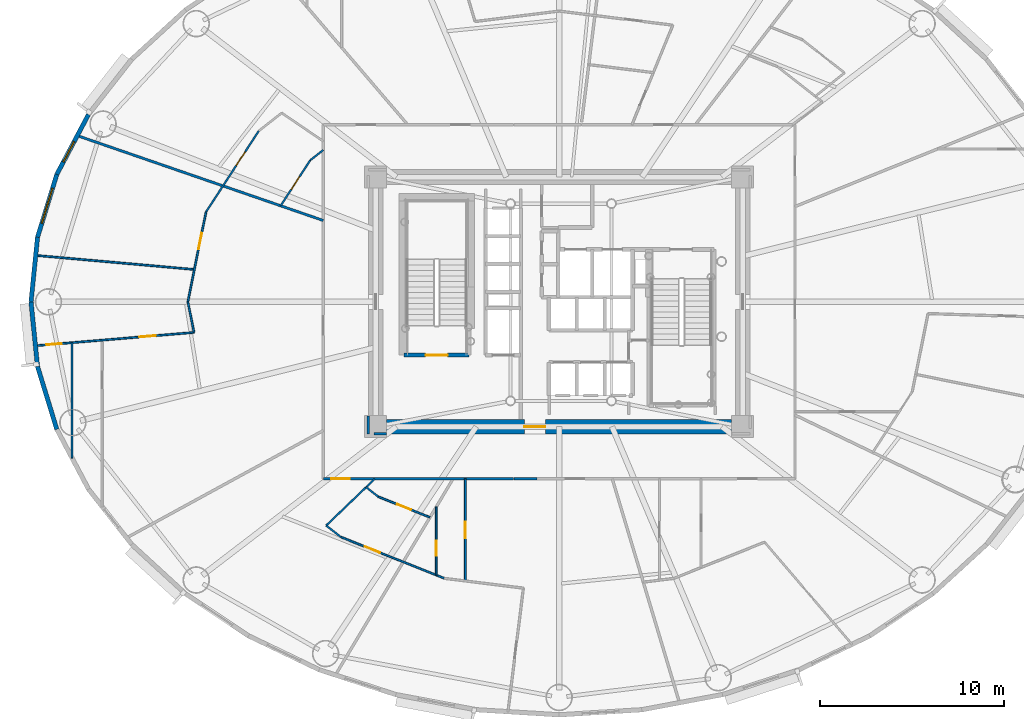
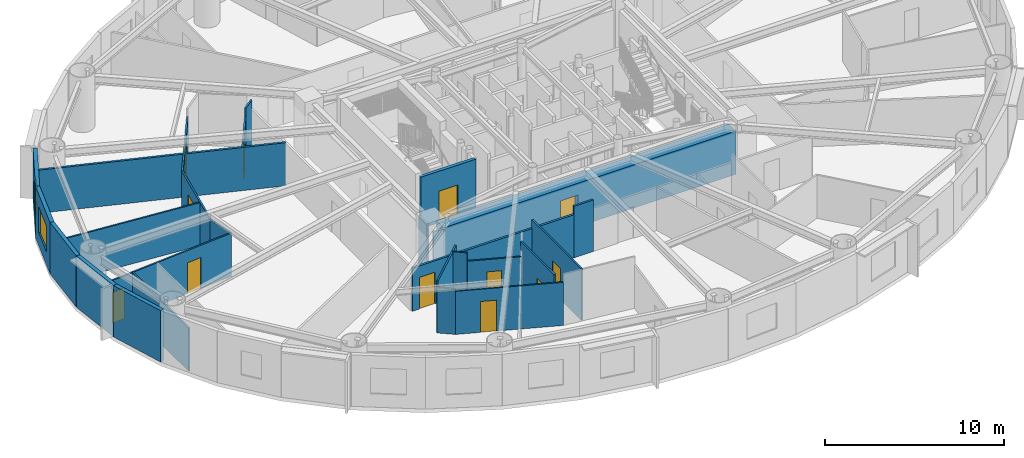
# One storey, part 7 of 18: 27 walls, 12 doors, 2 windows, 14 openings.
"""IFC4 building model written with IfcOpenShell, lengths in metres."""

import ifcopenshell
import ifcopenshell.guid

model = None  # the IFC model being written
_history = None  # IfcOwnerHistory: only IFC2X3 demands one
_inside = {}  # id of a spatial element -> (the spatial element, [elements in it])
_under = {}  # id of a project, library or spatial element -> (it, [spatial elements below it])
_declared = {}  # id of a project -> (the project, [libraries it declares])
_typed = {}  # id of a type object -> (the type object, [elements of that type])
_made_of = {}  # id of a material, layer set ... -> (it, [elements and type objects made of it])


def new_model(schema):
    """Start an empty IFC model of exactly this schema.

    Asked for "IFC4X3", IfcOpenShell would pick the latest addendum, in which some entities
    have other attributes; the version numbers below select the first issue.
    IFC2X3 requires an IfcOwnerHistory on every rooted entity: one is made here for all.
    """
    global model, _history
    if schema == "IFC4X3":
        model = ifcopenshell.file(schema_version=(4, 3, 0, 0))
    else:
        model = ifcopenshell.file(schema=schema)
    _inside.clear()
    _under.clear()
    _declared.clear()
    _typed.clear()
    _made_of.clear()
    _history = None
    if model.schema == "IFC2X3":
        org = make("IfcOrganization", Name="unknown")
        user = make(
            "IfcPersonAndOrganization",
            ThePerson=make("IfcPerson", FamilyName="unknown"),
            TheOrganization=org,
        )
        app = make(
            "IfcApplication",
            ApplicationDeveloper=org,
            Version="unknown",
            ApplicationFullName="unknown",
            ApplicationIdentifier="unknown",
        )
        _history = make(
            "IfcOwnerHistory",
            OwningUser=user,
            OwningApplication=app,
            ChangeAction="ADDED",
            CreationDate=0,
        )
    return model


def make(cls, **values):
    """One entity of the class cls with the attributes given. An attribute that is None is left unset."""
    return model.create_entity(
        cls, **{name: value for name, value in values.items() if value is not None}
    )


def rooted(cls, **values):
    """An entity with a GlobalId (a new one), such as an element, a storey or a relation."""
    return make(cls, GlobalId=ifcopenshell.guid.new(), OwnerHistory=_history, **values)


def si_unit(unit_type, name, prefix=None):
    """IfcSIUnit, for example si_unit("LENGTHUNIT", "METRE", prefix="MILLI")."""
    return make("IfcSIUnit", UnitType=unit_type, Prefix=prefix, Name=name)


def assignment(units):
    """IfcUnitAssignment: the units of a project."""
    return None if units is None else make("IfcUnitAssignment", Units=units)


def point(xyz):
    """IfcCartesianPoint."""
    return None if xyz is None else make("IfcCartesianPoint", Coordinates=xyz)


def direction(xyz):
    """IfcDirection."""
    return None if xyz is None else make("IfcDirection", DirectionRatios=xyz)


def frame(location, z_axis=None, x_axis=None):
    """IfcAxis2Placement3D, a coordinate frame: its origin and axes. An axis left out is left unset."""
    return make(
        "IfcAxis2Placement3D",
        Location=point(location),
        Axis=direction(z_axis),
        RefDirection=direction(x_axis),
    )


def frame_2d(location, x_axis=None):
    """IfcAxis2Placement2D, a coordinate frame in the plane: its origin and x axis."""
    return make(
        "IfcAxis2Placement2D", Location=point(location), RefDirection=direction(x_axis)
    )


def origin():
    """The frame at (0, 0, 0) with its axes left unset."""
    return frame((0.0, 0.0, 0.0))


def origin_2d():
    """The frame at (0, 0) in the plane with its x axis left unset."""
    return frame_2d((0.0, 0.0))


def place(relative_to, where):
    """IfcLocalPlacement: puts the frame where relative to a parent placement (None: the world)."""
    return make(
        "IfcLocalPlacement", PlacementRelTo=relative_to, RelativePlacement=where
    )


def context(
    kind, dimensions, precision=None, world=None, true_north=None, identifier=None
):
    """IfcGeometricRepresentationContext, for example the 3D "Model" context."""
    return make(
        "IfcGeometricRepresentationContext",
        ContextIdentifier=identifier,
        ContextType=kind,
        CoordinateSpaceDimension=dimensions,
        Precision=precision,
        WorldCoordinateSystem=world,
        TrueNorth=true_north,
    )


def subcontext(parent, identifier, kind, view, scale=None):
    """IfcGeometricRepresentationSubContext, for example "Body" below "Model"."""
    return make(
        "IfcGeometricRepresentationSubContext",
        ContextIdentifier=identifier,
        ContextType=kind,
        ParentContext=parent,
        TargetScale=scale,
        TargetView=view,
    )


def project(units=None, contexts=None):
    """IfcProject with its units and contexts."""
    return rooted(
        "IfcProject",
        Name="project",
        RepresentationContexts=contexts,
        UnitsInContext=assignment(units),
    )


def spatial(cls, under=None, at=None, **own):
    """A site, building, storey or space (cls), placed at a placement, below another one or the project."""
    s = rooted(cls, ObjectPlacement=at, **own)
    if under is not None:
        _under.setdefault(under.id(), (under, []))[1].append(s)
    return s


def profile(cls, at=None, kind="AREA", **sizes):
    """A parametric profile (cls). Its sizes go by their IFC names, for example OverallWidth=200.0."""
    return make(cls, ProfileType=kind, Position=at, **sizes)


def rectangle(**sizes):
    """IfcRectangleProfileDef."""
    return profile("IfcRectangleProfileDef", **sizes)


def extrude(swept, where, along, depth):
    """IfcExtrudedAreaSolid: the profile swept, set in the frame where, extruded along a direction by depth."""
    return make(
        "IfcExtrudedAreaSolid",
        SweptArea=swept,
        Position=where,
        ExtrudedDirection=direction(along),
        Depth=depth,
    )


def shape(context_of_items, identifier, shape_type, items):
    """IfcShapeRepresentation: the items that make up one representation, for example the "Body"."""
    return make(
        "IfcShapeRepresentation",
        ContextOfItems=context_of_items,
        RepresentationIdentifier=identifier,
        RepresentationType=shape_type,
        Items=items,
    )


def source(mapping_origin, context_of_items, identifier, shape_type, items):
    """IfcRepresentationMap: a shape defined once, which mapped items show again and again."""
    return make(
        "IfcRepresentationMap",
        MappingOrigin=mapping_origin,
        MappedRepresentation=shape(context_of_items, identifier, shape_type, items),
    )


def transform(
    local_origin,
    x_axis=None,
    y_axis=None,
    z_axis=None,
    scale=None,
    scale2=None,
    scale3=None,
    uniform=True,
):
    """IfcCartesianTransformationOperator3D, or its non-uniform kind. x_axis, y_axis, z_axis: its Axis1, 2, 3."""
    if uniform:
        return make(
            "IfcCartesianTransformationOperator3D",
            Axis1=direction(x_axis),
            Axis2=direction(y_axis),
            LocalOrigin=point(local_origin),
            Scale=scale,
            Axis3=direction(z_axis),
        )
    return make(
        "IfcCartesianTransformationOperator3DnonUniform",
        Axis1=direction(x_axis),
        Axis2=direction(y_axis),
        LocalOrigin=point(local_origin),
        Scale=scale,
        Axis3=direction(z_axis),
        Scale2=scale2,
        Scale3=scale3,
    )


def mapped(mapping_source, mapping_target):
    """IfcMappedItem: shows the shape of a source again, moved by a transform."""
    return make(
        "IfcMappedItem", MappingSource=mapping_source, MappingTarget=mapping_target
    )


def material(Name=None, Category=None):
    """IfcMaterial."""
    return make("IfcMaterial", Name=Name, Category=Category)


def layer(
    of_material, thickness, ventilated=None, Name=None, Category=None, Priority=None
):
    """IfcMaterialLayer: one layer of a wall or slab, of a material (None: an air gap)."""
    return make(
        "IfcMaterialLayer",
        Material=of_material,
        LayerThickness=thickness,
        IsVentilated=ventilated,
        Name=Name,
        Category=Category,
        Priority=Priority,
    )


def layer_set(layers, Name=None):
    """IfcMaterialLayerSet."""
    return make("IfcMaterialLayerSet", MaterialLayers=layers, LayerSetName=Name)


def made_of(thing, what):
    """Note that an element or type object is made of a material, layer set ...; save() writes the relation."""
    if what is not None:
        _made_of.setdefault(what.id(), (what, []))[1].append(thing)
    return thing


def type_object(cls, material=None, **own):
    """A type object (cls), such as IfcWallType, which elements share."""
    return made_of(rooted(cls, **own), material)


def element(
    cls,
    number,
    at=None,
    inside=None,
    cuts=None,
    type_object=None,
    material=None,
    context=None,
    identifier="Body",
    shape_type=None,
    held_by="IfcProductDefinitionShape",
    body=None,
    shapes=None,
    **own,
):
    """One element of the class cls, such as IfcWall. Its Tag is "e" and its number.

    at: its placement. inside: the storey or other place that contains it. cuts: it is an
    opening in that element (IfcRelVoidsElement). A single representation is given by context,
    identifier, shape_type and body (its items); several are given by shapes. held_by: the class
    of the entity that holds the representations. save() writes the other relations.
    """
    e = rooted(cls, Tag="e%d" % number, ObjectPlacement=at, **own)
    if body is not None:
        shapes = [shape(context, identifier, shape_type, body)]
    if shapes is not None:
        e.Representation = make(held_by, Representations=shapes)
    if inside is not None:
        _inside.setdefault(inside.id(), (inside, []))[1].append(e)
    if cuts is not None:
        rooted(
            "IfcRelVoidsElement", RelatingBuildingElement=cuts, RelatedOpeningElement=e
        )
    if type_object is not None:
        _typed.setdefault(type_object.id(), (type_object, []))[1].append(e)
    return made_of(e, material)


def fill(opening, filler):
    """IfcRelFillsElement: the door or window that sits in an opening."""
    return rooted(
        "IfcRelFillsElement",
        RelatingOpeningElement=opening,
        RelatedBuildingElement=filler,
    )


def aggregate(whole, parts):
    """IfcRelAggregates: a whole, such as a stair, and the parts it consists of."""
    return rooted("IfcRelAggregates", RelatingObject=whole, RelatedObjects=parts)


def save(model, path):
    """Write the relations noted so far, then the file.

    IfcRelAggregates (storeys below a building ...), IfcRelContainedInSpatialStructure (elements
    in a storey), IfcRelDefinesByType, IfcRelAssociatesMaterial and IfcRelDeclares: one each for
    every whole, place, type object, material and project.
    """
    for whole, parts in _under.values():
        aggregate(whole, parts)
    for where, things in _inside.values():
        rooted(
            "IfcRelContainedInSpatialStructure",
            RelatedElements=things,
            RelatingStructure=where,
        )
    for kind, things in _typed.values():
        rooted("IfcRelDefinesByType", RelatedObjects=things, RelatingType=kind)
    for what, things in _made_of.values():
        rooted("IfcRelAssociatesMaterial", RelatedObjects=things, RelatingMaterial=what)
    for by, libraries in _declared.values():
        rooted("IfcRelDeclares", RelatingContext=by, RelatedDefinitions=libraries)
    model.write(path)


model = new_model("IFC4")

# Units and contexts
model_context = context("Model", 3, precision=1e-05, world=origin(), true_north=direction((0.0, 1.0)))
body_context = subcontext(model_context, "Body", "Model", "MODEL_VIEW")
ifc_project = project(units=[si_unit("LENGTHUNIT", "METRE"), si_unit("AREAUNIT", "SQUARE_METRE"), si_unit("VOLUMEUNIT", "CUBIC_METRE"), si_unit("PLANEANGLEUNIT", "RADIAN"), si_unit("MASSUNIT", "GRAM", prefix="KILO")], contexts=[model_context])

# Site, building, storey
site_placement = place(None, origin())
site = spatial("IfcSite", under=ifc_project, at=site_placement, CompositionType="ELEMENT")
building_placement = place(site_placement, origin())
building = spatial("IfcBuilding", under=site, at=building_placement, Name="Linh Dai School and Residence Tower", CompositionType="ELEMENT")
storey_placement = place(building_placement, frame((0.0, 0.0, 104.699951171875)))
storey = spatial("IfcBuildingStorey", under=building, at=storey_placement, Name="L24", CompositionType="ELEMENT", Elevation=104.699951171875)

# Wall, opening, window
ifc_material_1 = material(Name="Precast Concrete B45 (C35/45)", Category="concrete")
ifc_layer_1 = layer(ifc_material_1, 0.239990234375)
ifc_layer_set_1 = layer_set([ifc_layer_1], Name="Precast Concrete B45 (C35/45)")
wall_type_1 = type_object("IfcWallType", Name="EW-TC-240", PredefinedType="SOLIDWALL", material=ifc_layer_set_1)
wall_1_placement = place(storey_placement, frame((8.6298828125, 33.945068359375, 0.0), z_axis=(0.0, 0.0, 1.0), x_axis=(0.467614004126, 0.883932770716, 0.0)))
wall_1 = element("IfcWall", 1, at=wall_1_placement, inside=storey, type_object=wall_type_1, Name="L24 Terracotta Exterior Wall 18", PredefinedType="SOLIDWALL", context=body_context, shape_type="SweptSolid", body=[
    extrude(rectangle(XDim=3.688720703125, YDim=0.239990234375, at=frame_2d((1.84423828125, 0.0))), origin(), (0.0, 0.0, 1.0), 3.5),
])
opening_1_placement = place(wall_1_placement, frame((0.77392578125, 0.0, 0.89990234375)))
opening_1 = element("IfcOpeningElement", 2, at=opening_1_placement, cuts=wall_1, Name="Opening W3", PredefinedType="OPENING", context=body_context, shape_type="SweptSolid", body=[
    extrude(rectangle(XDim=1.25, YDim=1.64990234375, at=origin_2d()), frame((0.625, 0.1298828125, 0.824951171875), z_axis=(0.0, -1.0, 0.0), x_axis=(1.0, 0.0, 0.0)), (0.0, 0.0, 1.0), 0.260009765625),
])
ifc_material_2 = material(Name="Double Low-E Insulated Glazing", Category="glass")
window_type_1 = type_object("IfcWindowType", Name="WN-RES-1250x1650", PartitioningType="SINGLE_PANEL", PredefinedType="WINDOW", material=ifc_material_2)
shared_shape_1 = source(origin(), body_context, "Body", "SweptSolid", [
    extrude(rectangle(XDim=1.25, YDim=1.64990234375, at=origin_2d()), frame((0.625, 0.030029296875, 0.824951171875), z_axis=(0.0, -1.0, 0.0), x_axis=(1.0, 0.0, 0.0)), (0.0, 0.0, 1.0), 0.06005859375),
])
window_1_placement = place(opening_1_placement, origin())
window_1 = element("IfcWindow", 3, at=window_1_placement, inside=storey, type_object=window_type_1, Name="L24 Exterior Window 18.1", OverallHeight=1.64990234375, OverallWidth=1.25, PartitioningType="SINGLE_PANEL", PredefinedType="WINDOW", context=body_context, shape_type="MappedRepresentation", body=[
    mapped(shared_shape_1, transform((0.0, 0.0, 0.0), x_axis=(1.0, 0.0, 0.0), y_axis=(0.0, 1.0, 0.0), z_axis=(0.0, 0.0, 1.0), scale=1.0)),
])
fill(opening_1, window_1)

wall_2_placement = place(storey_placement, frame((7.578369140625, 30.515380859375, 0.0), z_axis=(0.0, 0.0, 1.0), x_axis=(0.293124431344, 0.956074300329, 0.0)))
wall_2 = element("IfcWall", 4, at=wall_2_placement, inside=storey, type_object=wall_type_1, Name="L24 Terracotta Exterior Wall 19", PredefinedType="SOLIDWALL", context=body_context, shape_type="SweptSolid", body=[
    extrude(rectangle(XDim=3.587158203125, YDim=0.239990234375, at=frame_2d((1.79345703125, 0.0))), origin(), (0.0, 0.0, 1.0), 3.5),
])
opening_2_placement = place(wall_2_placement, frame((0.793701171875, 0.0, 0.89990234375)))
opening_2 = element("IfcOpeningElement", 5, at=opening_2_placement, cuts=wall_2, Name="Opening W1", PredefinedType="OPENING", context=body_context, shape_type="SweptSolid", body=[
    extrude(rectangle(XDim=2.0, YDim=1.75, at=origin_2d()), frame((1.0, 0.1298828125, 0.875), z_axis=(0.0, -1.0, 0.0), x_axis=(1.0, 0.0, 0.0)), (0.0, 0.0, 1.0), 0.260009765625),
])
window_type_2 = type_object("IfcWindowType", Name="WN-RES-2000x1750", PartitioningType="DOUBLE_PANEL_VERTICAL", PredefinedType="WINDOW", material=ifc_material_2)
shared_shape_2 = source(origin(), body_context, "Body", "SweptSolid", [
    extrude(rectangle(XDim=2.0, YDim=1.75, at=origin_2d()), frame((1.0, 0.030029296875, 0.875), z_axis=(0.0, -1.0, 0.0), x_axis=(1.0, 0.0, 0.0)), (0.0, 0.0, 1.0), 0.06005859375),
])
window_2_placement = place(opening_2_placement, origin())
window_2 = element("IfcWindow", 6, at=window_2_placement, inside=storey, type_object=window_type_2, Name="L24 Exterior Window 19.1", OverallHeight=1.75, OverallWidth=2.0, PartitioningType="DOUBLE_PANEL_VERTICAL", PredefinedType="WINDOW", context=body_context, shape_type="MappedRepresentation", body=[
    mapped(shared_shape_2, transform((0.0, 0.0, 0.0), x_axis=(1.0, 0.0, 0.0), y_axis=(0.0, 1.0, 0.0), z_axis=(0.0, 0.0, 1.0), scale=1.0)),
])
fill(opening_2, window_2)

# Walls
for number, where, z_axis, x_axis, name in (
    (7, (7.22509765625, 27.0, 0.0), (0.0, 0.0, 1.0), (0.099989468229, 0.994988495533, 0.0), "L24 Terracotta Exterior Wall 20"),
    (8, (7.578369140625, 23.484619140625, 0.0), (0.0, 0.0, 1.0), (-0.099989468229, 0.994988495533, 0.0), "L24 Terracotta Exterior Wall 21"),
):
    element("IfcWall", number, at=place(storey_placement, frame(where, z_axis=z_axis, x_axis=x_axis)), inside=storey, type_object=wall_type_1, Name=name, PredefinedType="SOLIDWALL", context=body_context, shape_type="SweptSolid", body=[
        extrude(rectangle(XDim=3.533203125, YDim=0.239990234375, at=frame_2d((1.7666015625, 0.0))), origin(), (0.0, 0.0, 1.0), 3.5),
    ])
wall_3_placement = place(storey_placement, frame((8.6298828125, 20.054931640625, 0.0), z_axis=(0.0, 0.0, 1.0), x_axis=(-0.293124431344, 0.956074300329, 0.0)))
element("IfcWall", 9, at=wall_3_placement, inside=storey, type_object=wall_type_1, Name="L24 Terracotta Exterior Wall 22", PredefinedType="SOLIDWALL", context=body_context, shape_type="SweptSolid", body=[
    extrude(rectangle(XDim=3.587158203125, YDim=0.239990234375, at=frame_2d((1.79345703125, 0.0))), origin(), (0.0, 0.0, 1.0), 3.5),
])
ifc_material_3 = material(Name="Autoclaved Aerated Concrete Blockwork", Category="masonry")
ifc_layer_2 = layer(ifc_material_3, 0.135009765625)
ifc_layer_set_2 = layer_set([ifc_layer_2], Name="Autoclaved Aerated Concrete Blockwork")
wall_type_2 = type_object("IfcWallType", Name="IW-CORR-135-EI90", PredefinedType="PARTITIONING", material=ifc_layer_set_2)
wall_4_placement = place(storey_placement, frame((9.7412109375, 36.056640625, 0.0), z_axis=(0.0, 0.0, 1.0), x_axis=(0.945349748634, -0.326058051207, 0.0)))
element("IfcWall", 10, at=wall_4_placement, inside=storey, type_object=wall_type_2, Name="L24 Interior Partition Wall 004", PredefinedType="PARTITIONING", context=body_context, shape_type="SweptSolid", body=[
    extrude(rectangle(XDim=14.183837890625, YDim=0.135009765625, at=frame_2d((7.091796875, 0.0))), origin(), (0.0, 0.0, 1.0), 2.93505859375),
])

# Wall, opening, door
wall_5_placement = place(storey_placement, frame((23.14990234375, 17.35009765625, 0.0), z_axis=(0.0, 0.0, 1.0), x_axis=(1.0, 0.0, 0.0)))
wall_5 = element("IfcWall", 11, at=wall_5_placement, inside=storey, type_object=wall_type_2, Name="L24 Interior Partition Wall 017", PredefinedType="PARTITIONING", context=body_context, shape_type="SweptSolid", body=[
    extrude(rectangle(XDim=10.373046875, YDim=0.135009765625, at=frame_2d((5.1865234375, 0.0))), origin(), (0.0, 0.0, 1.0), 2.93505859375),
])
opening_3_placement = place(wall_5_placement, frame((0.440185546875, 0.0, 0.0)))
opening_3 = element("IfcOpeningElement", 12, at=opening_3_placement, cuts=wall_5, Name="Opening D03", PredefinedType="OPENING", context=body_context, shape_type="SweptSolid", body=[
    extrude(rectangle(XDim=1.0, YDim=2.14990234375, at=origin_2d()), frame((0.5, 0.07763671875, 1.074951171875), z_axis=(0.0, -1.0, 0.0), x_axis=(1.0, 0.0, 0.0)), (0.0, 0.0, 1.0), 0.155029296875),
])
ifc_material_4 = material(Name="Fire-Rated Solid Timber Entrance Door", Category="wood")
door_type_1 = type_object("IfcDoorType", Name="DR-FLAT-1000x2150-FD60S", OperationType="NOTDEFINED", PredefinedType="DOOR", material=ifc_material_4)
shared_shape_3 = source(origin(), body_context, "Body", "SweptSolid", [
    extrude(rectangle(XDim=1.0, YDim=2.14990234375, at=origin_2d()), frame((0.5, 0.02490234375, 1.074951171875), z_axis=(0.0, -1.0, 0.0), x_axis=(1.0, 0.0, 0.0)), (0.0, 0.0, 1.0), 0.050048828125),
])
door_1_placement = place(opening_3_placement, origin())
door_1 = element("IfcDoor", 13, at=door_1_placement, inside=storey, type_object=door_type_1, Name="L24 U2406 Apartment Entrance Door", OperationType="SINGLE_SWING_LEFT", OverallHeight=2.14990234375, OverallWidth=1.0, PredefinedType="DOOR", context=body_context, shape_type="MappedRepresentation", body=[
    mapped(shared_shape_3, transform((0.0, 0.0, 0.0), x_axis=(1.0, 0.0, 0.0), y_axis=(0.0, 1.0, 0.0), z_axis=(0.0, 0.0, 1.0), scale=1.0)),
])
fill(opening_3, door_1)

# Walls
wall_6_placement = place(storey_placement, frame((34.784912109375, 17.35009765625, 0.0), z_axis=(0.0, 0.0, 1.0), x_axis=(-1.0, 0.0, 0.0)))
element("IfcWall", 14, at=wall_6_placement, inside=storey, type_object=wall_type_2, Name="L24 Interior Partition Wall 109", PredefinedType="PARTITIONING", context=body_context, shape_type="SweptSolid", body=[
    extrude(rectangle(XDim=1.251953125, YDim=0.135009765625, at=frame_2d((0.6259765625, 0.0))), origin(), (0.0, 0.0, 1.0), 3.5),
])
wall_7_placement = place(storey_placement, frame((25.60009765625, 20.7900390625, 0.0), z_axis=(0.0, 0.0, 1.0), x_axis=(0.0, -1.0, 0.0)))
element("IfcWall", 15, at=wall_7_placement, inside=storey, type_object=wall_type_2, Name="L24 Interior Partition Wall 113", PredefinedType="PARTITIONING", context=body_context, shape_type="SweptSolid", body=[
    extrude(rectangle(XDim=0.989990234375, YDim=0.135009765625, at=frame_2d((0.4951171875, 0.0))), origin(), (0.0, 0.0, 1.0), 3.5),
])
wall_8_placement = place(storey_placement, frame((25.907470703125, 19.800048828125, 0.0), z_axis=(0.0, 0.0, 1.0), x_axis=(1.0, 0.0, 0.0)))
element("IfcWall", 16, at=wall_8_placement, inside=storey, type_object=wall_type_2, Name="L24 Interior Partition Wall 114", PredefinedType="PARTITIONING", context=body_context, shape_type="SweptSolid", body=[
    extrude(rectangle(XDim=0.6826171875, YDim=0.135009765625, at=frame_2d((0.34130859375, 0.0))), origin(), (0.0, 0.0, 1.0), 2.93505859375),
])

# Wall, opening, door
ifc_material_5 = material(Name="Concrete B45 (C35/45)", Category="concrete")
ifc_layer_3 = layer(ifc_material_5, 0.199951171875)
ifc_layer_set_3 = layer_set([ifc_layer_3], Name="Concrete B45 (C35/45)")
wall_type_3 = type_object("IfcWallType", Name="IW-SHAFT-200-EI120", PredefinedType="PARTITIONING", material=ifc_layer_set_3)
wall_9_placement = place(storey_placement, frame((27.56005859375, 24.10009765625, 0.0), z_axis=(0.0, 0.0, 1.0), x_axis=(1.0, 0.0, 0.0)))
wall_9 = element("IfcWall", 17, at=wall_9_placement, inside=storey, type_object=wall_type_3, Name="L24 Interior Partition Wall 026", PredefinedType="PARTITIONING", context=body_context, shape_type="SweptSolid", body=[
    extrude(rectangle(XDim=3.5400390625, YDim=0.199951171875, at=frame_2d((1.77001953125, 0.0))), origin(), (0.0, 0.0, 1.0), 3.5),
])
opening_4_placement = place(wall_9_placement, frame((1.169921875, 0.0, 0.0)))
opening_4 = element("IfcOpeningElement", 18, at=opening_4_placement, cuts=wall_9, Name="Opening D01", PredefinedType="OPENING", context=body_context, shape_type="SweptSolid", body=[
    extrude(rectangle(XDim=1.199951171875, YDim=2.14990234375, at=origin_2d()), frame((0.60009765625, 0.10986328125, 1.074951171875), z_axis=(0.0, -1.0, 0.0), x_axis=(1.0, 0.0, 0.0)), (0.0, 0.0, 1.0), 0.219970703125),
])
ifc_material_6 = material(Name="Fire-Rated Steel Door Leaf", Category="steel")
door_type_2 = type_object("IfcDoorType", Name="DR-STAIR-1200x2150-FD90S", OperationType="NOTDEFINED", PredefinedType="DOOR", material=ifc_material_6)
shared_shape_4 = source(origin(), body_context, "Body", "SweptSolid", [
    extrude(rectangle(XDim=1.199951171875, YDim=2.14990234375, at=origin_2d()), frame((0.60009765625, 0.02490234375, 1.074951171875), z_axis=(0.0, -1.0, 0.0), x_axis=(1.0, 0.0, 0.0)), (0.0, 0.0, 1.0), 0.050048828125),
])
door_2_placement = place(opening_4_placement, origin())
door_2 = element("IfcDoor", 19, at=door_2_placement, inside=storey, type_object=door_type_2, Name="L24 Core Smokeproof Exit Stair ST1 Door", OperationType="SINGLE_SWING_LEFT", OverallHeight=2.14990234375, OverallWidth=1.199951171875, PredefinedType="DOOR", context=body_context, shape_type="MappedRepresentation", body=[
    mapped(shared_shape_4, transform((0.0, 0.0, 0.0), x_axis=(1.0, 0.0, 0.0), y_axis=(0.0, 1.0, 0.0), z_axis=(0.0, 0.0, 1.0), scale=1.0)),
])
fill(opening_4, door_2)

# Wall, openings, doors
ifc_material_7 = material(Name="Gypsum Plasterboard Acoustic Stud Partition", Category="masonry")
ifc_layer_4 = layer(ifc_material_7, 0.10009765625)
ifc_layer_set_4 = layer_set([ifc_layer_4], Name="Gypsum Plasterboard Acoustic Stud Partition")
wall_type_4 = type_object("IfcWallType", Name="IW-UNIT-100", PredefinedType="PARTITIONING", material=ifc_layer_set_4)
wall_10_placement = place(storey_placement, frame((7.460693359375, 24.6064453125, 0.0), z_axis=(0.0, 0.0, 1.0), x_axis=(0.996502351316, 0.083564728334, 0.0)))
wall_10 = element("IfcWall", 20, at=wall_10_placement, inside=storey, type_object=wall_type_4, Name="L24 Interior Partition Wall 001", PredefinedType="PARTITIONING", context=body_context, shape_type="SweptSolid", body=[
    extrude(rectangle(XDim=8.677001953125, YDim=0.10009765625, at=frame_2d((4.33837890625, 0.0))), origin(), (0.0, 0.0, 1.0), 2.93505859375),
])
opening_5_placement = place(wall_10_placement, frame((5.694580078125, 0.0, 0.0)))
opening_5 = element("IfcOpeningElement", 21, at=opening_5_placement, cuts=wall_10, Name="Opening D05", PredefinedType="OPENING", context=body_context, shape_type="SweptSolid", body=[
    extrude(rectangle(XDim=0.89990234375, YDim=2.10009765625, at=origin_2d()), frame((0.449951171875, 0.06005859375, 1.050048828125), z_axis=(0.0, -1.0, 0.0), x_axis=(1.0, 0.0, 0.0)), (0.0, 0.0, 1.0), 0.1201171875),
])
opening_6_placement = place(wall_10_placement, frame((0.611572265625, 0.0, 0.0)))
opening_6 = element("IfcOpeningElement", 22, at=opening_6_placement, cuts=wall_10, Name="Opening D06", PredefinedType="OPENING", context=body_context, shape_type="SweptSolid", body=[
    extrude(rectangle(XDim=0.820068359375, YDim=2.10009765625, at=origin_2d()), frame((0.41015625, 0.06005859375, 1.050048828125), z_axis=(0.0, -1.0, 0.0), x_axis=(1.0, 0.0, 0.0)), (0.0, 0.0, 1.0), 0.1201171875),
])
ifc_material_8 = material(Name="Moisture-Resistant Timber Bathroom Door", Category="wood")
door_type_3 = type_object("IfcDoorType", Name="DR-WET-820x2100", OperationType="NOTDEFINED", PredefinedType="DOOR", material=ifc_material_8)
shared_shape_5 = source(origin(), body_context, "Body", "SweptSolid", [
    extrude(rectangle(XDim=0.820068359375, YDim=2.10009765625, at=origin_2d()), frame((0.41015625, 0.02490234375, 1.050048828125), z_axis=(0.0, -1.0, 0.0), x_axis=(1.0, 0.0, 0.0)), (0.0, 0.0, 1.0), 0.050048828125),
])
door_3_placement = place(opening_6_placement, origin())
door_3 = element("IfcDoor", 23, at=door_3_placement, inside=storey, type_object=door_type_3, Name="L24 Apartment U2405 Bathroom 1 Door", OperationType="SINGLE_SWING_LEFT", OverallHeight=2.10009765625, OverallWidth=0.820068359375, PredefinedType="DOOR", context=body_context, shape_type="MappedRepresentation", body=[
    mapped(shared_shape_5, transform((0.0, 0.0, 0.0), x_axis=(1.0, 0.0, 0.0), y_axis=(0.0, 1.0, 0.0), z_axis=(0.0, 0.0, 1.0), scale=1.0)),
])
fill(opening_6, door_3)
ifc_material_9 = material(Name="Engineered Timber Internal Door", Category="wood")
door_type_4 = type_object("IfcDoorType", Name="DR-INT-900x2100", OperationType="NOTDEFINED", PredefinedType="DOOR", material=ifc_material_9)
shared_shape_6 = source(origin(), body_context, "Body", "SweptSolid", [
    extrude(rectangle(XDim=0.89990234375, YDim=2.10009765625, at=origin_2d()), frame((0.449951171875, 0.02490234375, 1.050048828125), z_axis=(0.0, -1.0, 0.0), x_axis=(1.0, 0.0, 0.0)), (0.0, 0.0, 1.0), 0.050048828125),
])
door_4_placement = place(opening_5_placement, origin())
door_4 = element("IfcDoor", 24, at=door_4_placement, inside=storey, type_object=door_type_4, Name="L24 Apartment U2405 Study Door", OperationType="SINGLE_SWING_RIGHT", OverallHeight=2.10009765625, OverallWidth=0.89990234375, PredefinedType="DOOR", context=body_context, shape_type="MappedRepresentation", body=[
    mapped(shared_shape_6, transform((0.0, 0.0, 0.0), x_axis=(1.0, 0.0, 0.0), y_axis=(0.0, 1.0, 0.0), z_axis=(0.0, 0.0, 1.0), scale=1.0)),
])
fill(opening_5, door_4)

# Walls
wall_11_placement = place(storey_placement, frame((7.474365234375, 29.530029296875, 0.0), z_axis=(0.0, 0.0, 1.0), x_axis=(0.99609030315, -0.088340862406, 0.0)))
element("IfcWall", 25, at=wall_11_placement, inside=storey, type_object=wall_type_4, Name="L24 Interior Partition Wall 002", PredefinedType="PARTITIONING", context=body_context, shape_type="SweptSolid", body=[
    extrude(rectangle(XDim=8.68603515625, YDim=0.10009765625, at=frame_2d((4.343017578125, 0.0))), origin(), (0.0, 0.0, 1.0), 2.93505859375),
])
wall_12_placement = place(storey_placement, frame((9.456787109375, 18.481201171875, 0.0), z_axis=(0.0, 0.0, 1.0), x_axis=(0.0, 1.0, 0.0)))
element("IfcWall", 26, at=wall_12_placement, inside=storey, type_object=wall_type_4, Name="L24 Interior Partition Wall 003", PredefinedType="PARTITIONING", context=body_context, shape_type="SweptSolid", body=[
    extrude(rectangle(XDim=6.292724609375, YDim=0.10009765625, at=frame_2d((3.146484375, 0.0))), origin(), (0.0, 0.0, 1.0), 2.93505859375),
])
wall_13_placement = place(storey_placement, frame((15.77001953125, 27.0, 0.0), z_axis=(0.0, 0.0, 1.0), x_axis=(0.198211883057, -0.980159195955, 0.0)))
element("IfcWall", 27, at=wall_13_placement, inside=storey, type_object=wall_type_4, Name="L24 Interior Partition Wall 007", PredefinedType="PARTITIONING", context=body_context, shape_type="SweptSolid", body=[
    extrude(rectangle(XDim=1.7021484375, YDim=0.10009765625, at=frame_2d((0.85107421875, 0.0))), origin(), (0.0, 0.0, 1.0), 2.93505859375),
])

# Wall, opening, door
wall_14_placement = place(storey_placement, frame((15.77001953125, 27.0, 0.0), z_axis=(0.0, 0.0, 1.0), x_axis=(0.198230919145, 0.980155346205, 0.0)))
wall_14 = element("IfcWall", 28, at=wall_14_placement, inside=storey, type_object=wall_type_4, Name="L24 Interior Partition Wall 008", PredefinedType="PARTITIONING", context=body_context, shape_type="SweptSolid", body=[
    extrude(rectangle(XDim=4.994140625, YDim=0.10009765625, at=frame_2d((2.4970703125, 0.0))), origin(), (0.0, 0.0, 1.0), 2.93505859375),
])
opening_7_placement = place(wall_14_placement, frame((2.92626953125, 0.0, 0.0)))
opening_7 = element("IfcOpeningElement", 29, at=opening_7_placement, cuts=wall_14, Name="Opening D05", PredefinedType="OPENING", context=body_context, shape_type="SweptSolid", body=[
    extrude(rectangle(XDim=0.89990234375, YDim=2.10009765625, at=origin_2d()), frame((0.449951171875, 0.06005859375, 1.050048828125), z_axis=(0.0, -1.0, 0.0), x_axis=(1.0, 0.0, 0.0)), (0.0, 0.0, 1.0), 0.1201171875),
])
door_5_placement = place(opening_7_placement, origin())
door_5 = element("IfcDoor", 30, at=door_5_placement, inside=storey, type_object=door_type_4, Name="L24 Apartment U2405 Principal Bedroom 1 Door", OperationType="SINGLE_SWING_LEFT", OverallHeight=2.10009765625, OverallWidth=0.89990234375, PredefinedType="DOOR", context=body_context, shape_type="MappedRepresentation", body=[
    mapped(shared_shape_6, transform((0.0, 0.0, 0.0), x_axis=(1.0, 0.0, 0.0), y_axis=(0.0, 1.0, 0.0), z_axis=(0.0, 0.0, 1.0), scale=1.0)),
])
fill(opening_7, door_5)

wall_15_placement = place(storey_placement, frame((16.760009765625, 31.89501953125, 0.0), z_axis=(0.0, 0.0, 1.0), x_axis=(0.545405249109, 0.838172484781, 0.0)))
wall_15 = element("IfcWall", 31, at=wall_15_placement, inside=storey, type_object=wall_type_4, Name="L24 Interior Partition Wall 009", PredefinedType="PARTITIONING", context=body_context, shape_type="SweptSolid", body=[
    extrude(rectangle(XDim=5.2685546875, YDim=0.10009765625, at=frame_2d((2.63427734375, 0.0))), origin(), (0.0, 0.0, 1.0), 2.93505859375),
])
opening_8_placement = place(wall_15_placement, frame((3.01220703125, 0.0, 0.0)))
opening_8 = element("IfcOpeningElement", 32, at=opening_8_placement, cuts=wall_15, Name="Opening D05", PredefinedType="OPENING", context=body_context, shape_type="SweptSolid", body=[
    extrude(rectangle(XDim=0.89990234375, YDim=2.10009765625, at=origin_2d()), frame((0.449951171875, 0.06005859375, 1.050048828125), z_axis=(0.0, -1.0, 0.0), x_axis=(1.0, 0.0, 0.0)), (0.0, 0.0, 1.0), 0.1201171875),
])
door_6_placement = place(opening_8_placement, origin())
door_6 = element("IfcDoor", 33, at=door_6_placement, inside=storey, type_object=door_type_4, Name="L24 Apartment U2404 Kitchen Door", OperationType="SINGLE_SWING_RIGHT", OverallHeight=2.10009765625, OverallWidth=0.89990234375, PredefinedType="DOOR", context=body_context, shape_type="MappedRepresentation", body=[
    mapped(shared_shape_6, transform((0.0, 0.0, 0.0), x_axis=(1.0, 0.0, 0.0), y_axis=(0.0, 1.0, 0.0), z_axis=(0.0, 0.0, 1.0), scale=1.0)),
])
fill(opening_8, door_6)

wall_16_placement = place(storey_placement, frame((20.824951171875, 32.23388671875, 0.0), z_axis=(0.0, 0.0, 1.0), x_axis=(0.545376787896, 0.838191004023, 0.0)))
wall_16 = element("IfcWall", 34, at=wall_16_placement, inside=storey, type_object=wall_type_4, Name="L24 Interior Partition Wall 012", PredefinedType="PARTITIONING", context=body_context, shape_type="SweptSolid", body=[
    extrude(rectangle(XDim=2.9599609375, YDim=0.10009765625, at=frame_2d((1.47998046875, 0.0))), origin(), (0.0, 0.0, 1.0), 2.93505859375),
])
opening_9_placement = place(wall_16_placement, frame((1.070068359375, 0.0, 0.0)))
opening_9 = element("IfcOpeningElement", 35, at=opening_9_placement, cuts=wall_16, Name="Opening D06", PredefinedType="OPENING", context=body_context, shape_type="SweptSolid", body=[
    extrude(rectangle(XDim=0.820068359375, YDim=2.10009765625, at=origin_2d()), frame((0.41015625, 0.06005859375, 1.050048828125), z_axis=(0.0, -1.0, 0.0), x_axis=(1.0, 0.0, 0.0)), (0.0, 0.0, 1.0), 0.1201171875),
])
door_7_placement = place(opening_9_placement, origin())
door_7 = element("IfcDoor", 36, at=door_7_placement, inside=storey, type_object=door_type_3, Name="L24 Apartment U2404 Bathroom Door", OperationType="SINGLE_SWING_LEFT", OverallHeight=2.10009765625, OverallWidth=0.820068359375, PredefinedType="DOOR", context=body_context, shape_type="MappedRepresentation", body=[
    mapped(shared_shape_5, transform((0.0, 0.0, 0.0), x_axis=(1.0, 0.0, 0.0), y_axis=(0.0, 1.0, 0.0), z_axis=(0.0, 0.0, 1.0), scale=1.0)),
])
fill(opening_9, door_7)

# Walls
wall_17_placement = place(storey_placement, frame((22.439208984375, 34.71484375, 0.0), z_axis=(0.0, 0.0, 1.0), x_axis=(0.787265250498, 0.616614486821, 0.0)))
element("IfcWall", 37, at=wall_17_placement, inside=storey, type_object=wall_type_4, Name="L24 Interior Partition Wall 015", PredefinedType="PARTITIONING", context=body_context, shape_type="SweptSolid", body=[
    extrude(rectangle(XDim=0.90283203125, YDim=0.10009765625, at=frame_2d((0.451416015625, 0.0))), origin(), (0.0, 0.0, 1.0), 3.5),
])
wall_18_placement = place(storey_placement, frame((23.307373046875, 14.81201171875, 0.0), z_axis=(0.0, 0.0, 1.0), x_axis=(0.787398737985, -0.616444018075, 0.0)))
element("IfcWall", 38, at=wall_18_placement, inside=storey, type_object=wall_type_4, Name="L24 Interior Partition Wall 019", PredefinedType="PARTITIONING", context=body_context, shape_type="SweptSolid", body=[
    extrude(rectangle(XDim=1.018310546875, YDim=0.10009765625, at=frame_2d((0.50927734375, 0.0))), origin(), (0.0, 0.0, 1.0), 3.0849609375),
])
wall_19_placement = place(storey_placement, frame((23.307373046875, 14.81201171875, 0.0), z_axis=(0.0, 0.0, 1.0), x_axis=(0.721286127108, 0.692637223113, 0.0)))
element("IfcWall", 39, at=wall_19_placement, inside=storey, type_object=wall_type_4, Name="L24 Interior Partition Wall 020", PredefinedType="PARTITIONING", context=body_context, shape_type="SweptSolid", body=[
    extrude(rectangle(XDim=3.664306640625, YDim=0.10009765625, at=frame_2d((1.83203125, 0.0))), origin(), (0.0, 0.0, 1.0), 3.5),
])

# Wall, opening, door
wall_20_placement = place(storey_placement, frame((24.109130859375, 14.184326171875, 0.0), z_axis=(0.0, 0.0, 1.0), x_axis=(0.9288090756, -0.370558633798, 0.0)))
wall_20 = element("IfcWall", 40, at=wall_20_placement, inside=storey, type_object=wall_type_4, Name="L24 Interior Partition Wall 022", PredefinedType="PARTITIONING", context=body_context, shape_type="SweptSolid", body=[
    extrude(rectangle(XDim=6.072021484375, YDim=0.10009765625, at=frame_2d((3.0361328125, 0.0))), origin(), (0.0, 0.0, 1.0), 2.93505859375),
])
opening_10_placement = place(wall_20_placement, frame((1.398193359375, 0.0, 0.0)))
opening_10 = element("IfcOpeningElement", 41, at=opening_10_placement, cuts=wall_20, Name="Opening D05", PredefinedType="OPENING", context=body_context, shape_type="SweptSolid", body=[
    extrude(rectangle(XDim=0.89990234375, YDim=2.10009765625, at=origin_2d()), frame((0.449951171875, 0.06005859375, 1.050048828125), z_axis=(0.0, -1.0, 0.0), x_axis=(1.0, 0.0, 0.0)), (0.0, 0.0, 1.0), 0.1201171875),
])
door_8_placement = place(opening_10_placement, origin())
door_8 = element("IfcDoor", 42, at=door_8_placement, inside=storey, type_object=door_type_4, Name="L24 Apartment U2406 Kitchen Door", OperationType="SINGLE_SWING_RIGHT", OverallHeight=2.10009765625, OverallWidth=0.89990234375, PredefinedType="DOOR", context=body_context, shape_type="MappedRepresentation", body=[
    mapped(shared_shape_6, transform((0.0, 0.0, 0.0), x_axis=(1.0, 0.0, 0.0), y_axis=(0.0, 1.0, 0.0), z_axis=(0.0, 0.0, 1.0), scale=1.0)),
])
fill(opening_10, door_8)

# Wall
wall_21_placement = place(storey_placement, frame((25.4833984375, 16.9013671875, 0.0), z_axis=(0.0, 0.0, 1.0), x_axis=(0.787321722918, -0.616542378609, 0.0)))
element("IfcWall", 43, at=wall_21_placement, inside=storey, type_object=wall_type_4, Name="L24 Interior Partition Wall 024", PredefinedType="PARTITIONING", context=body_context, shape_type="SweptSolid", body=[
    extrude(rectangle(XDim=0.843505859375, YDim=0.10009765625, at=frame_2d((0.421875, 0.0))), origin(), (0.0, 0.0, 1.0), 3.5),
])

# Wall, opening, door
wall_22_placement = place(storey_placement, frame((26.1474609375, 16.38134765625, 0.0), z_axis=(0.0, 0.0, 1.0), x_axis=(0.928793125476, -0.370598610451, 0.0)))
wall_22 = element("IfcWall", 44, at=wall_22_placement, inside=storey, type_object=wall_type_4, Name="L24 Interior Partition Wall 025", PredefinedType="PARTITIONING", context=body_context, shape_type="SweptSolid", body=[
    extrude(rectangle(XDim=3.02978515625, YDim=0.10009765625, at=frame_2d((1.514892578125, 0.0))), origin(), (0.0, 0.0, 1.0), 2.93505859375),
])
opening_11_placement = place(wall_22_placement, frame((1.104736328125, 0.0, 0.0)))
opening_11 = element("IfcOpeningElement", 45, at=opening_11_placement, cuts=wall_22, Name="Opening D06", PredefinedType="OPENING", context=body_context, shape_type="SweptSolid", body=[
    extrude(rectangle(XDim=0.820068359375, YDim=2.10009765625, at=origin_2d()), frame((0.41015625, 0.06005859375, 1.050048828125), z_axis=(0.0, -1.0, 0.0), x_axis=(1.0, 0.0, 0.0)), (0.0, 0.0, 1.0), 0.1201171875),
])
door_9_placement = place(opening_11_placement, origin())
door_9 = element("IfcDoor", 46, at=door_9_placement, inside=storey, type_object=door_type_3, Name="L24 Apartment U2406 Bathroom Door", OperationType="SINGLE_SWING_LEFT", OverallHeight=2.10009765625, OverallWidth=0.820068359375, PredefinedType="DOOR", context=body_context, shape_type="MappedRepresentation", body=[
    mapped(shared_shape_5, transform((0.0, 0.0, 0.0), x_axis=(1.0, 0.0, 0.0), y_axis=(0.0, 1.0, 0.0), z_axis=(0.0, 0.0, 1.0), scale=1.0)),
])
fill(opening_11, door_9)

wall_23_placement = place(storey_placement, frame((29.306884765625, 12.110595703125, 0.0), z_axis=(0.0, 0.0, 1.0), x_axis=(0.0, 1.0, 0.0)))
wall_23 = element("IfcWall", 47, at=wall_23_placement, inside=storey, type_object=wall_type_4, Name="L24 Interior Partition Wall 027", PredefinedType="PARTITIONING", context=body_context, shape_type="SweptSolid", body=[
    extrude(rectangle(XDim=3.724365234375, YDim=0.10009765625, at=frame_2d((1.8623046875, 0.0))), origin(), (0.0, 0.0, 1.0), 3.5),
])
opening_12_placement = place(wall_23_placement, frame((1.052490234375, 0.0, 0.0)))
opening_12 = element("IfcOpeningElement", 48, at=opening_12_placement, cuts=wall_23, Name="Opening D06", PredefinedType="OPENING", context=body_context, shape_type="SweptSolid", body=[
    extrude(rectangle(XDim=0.820068359375, YDim=2.10009765625, at=origin_2d()), frame((0.41015625, 0.06005859375, 1.050048828125), z_axis=(0.0, -1.0, 0.0), x_axis=(1.0, 0.0, 0.0)), (0.0, 0.0, 1.0), 0.1201171875),
])
door_10_placement = place(opening_12_placement, origin())
door_10 = element("IfcDoor", 49, at=door_10_placement, inside=storey, type_object=door_type_3, Name="L24 Apartment U2407 Bathroom 1 Door", OperationType="SINGLE_SWING_LEFT", OverallHeight=2.10009765625, OverallWidth=0.820068359375, PredefinedType="DOOR", context=body_context, shape_type="MappedRepresentation", body=[
    mapped(shared_shape_5, transform((0.0, 0.0, 0.0), x_axis=(1.0, 0.0, 0.0), y_axis=(0.0, 1.0, 0.0), z_axis=(0.0, 0.0, 1.0), scale=1.0)),
])
fill(opening_12, door_10)

wall_24_placement = place(storey_placement, frame((30.892333984375, 11.79248046875, 0.0), z_axis=(0.0, 0.0, 1.0), x_axis=(0.0, 1.0, 0.0)))
wall_24 = element("IfcWall", 50, at=wall_24_placement, inside=storey, type_object=wall_type_4, Name="L24 Interior Partition Wall 030", PredefinedType="PARTITIONING", context=body_context, shape_type="SweptSolid", body=[
    extrude(rectangle(XDim=5.5576171875, YDim=0.10009765625, at=frame_2d((2.77880859375, 0.0))), origin(), (0.0, 0.0, 1.0), 3.5),
])
opening_13_placement = place(wall_24_placement, frame((2.328857421875, 0.0, 0.0)))
opening_13 = element("IfcOpeningElement", 51, at=opening_13_placement, cuts=wall_24, Name="Opening D05", PredefinedType="OPENING", context=body_context, shape_type="SweptSolid", body=[
    extrude(rectangle(XDim=0.89990234375, YDim=2.10009765625, at=origin_2d()), frame((0.449951171875, 0.06005859375, 1.050048828125), z_axis=(0.0, -1.0, 0.0), x_axis=(1.0, 0.0, 0.0)), (0.0, 0.0, 1.0), 0.1201171875),
])
door_11_placement = place(opening_13_placement, origin())
door_11 = element("IfcDoor", 52, at=door_11_placement, inside=storey, type_object=door_type_4, Name="L24 Apartment U2407 Kitchen Door", OperationType="SINGLE_SWING_RIGHT", OverallHeight=2.10009765625, OverallWidth=0.89990234375, PredefinedType="DOOR", context=body_context, shape_type="MappedRepresentation", body=[
    mapped(shared_shape_6, transform((0.0, 0.0, 0.0), x_axis=(1.0, 0.0, 0.0), y_axis=(0.0, 1.0, 0.0), z_axis=(0.0, 0.0, 1.0), scale=1.0)),
])
fill(opening_13, door_11)

ifc_material_10 = material(Name="Concrete B60 (C50/60)", Category="concrete")
ifc_layer_5 = layer(ifc_material_10, 0.800048828125)
ifc_layer_set_5 = layer_set([ifc_layer_5], Name="Concrete B60 (C50/60)")
wall_type_5 = type_object("IfcWallType", Name="WL-CORE800", PredefinedType="SHEAR", material=ifc_layer_set_5)
wall_25_placement = place(storey_placement, frame((45.39990234375, 20.199951171875, 0.0), z_axis=(0.0, 0.0, 1.0), x_axis=(-1.0, 0.0, 0.0)))
wall_25 = element("IfcWall", 53, at=wall_25_placement, inside=storey, type_object=wall_type_5, Name="L24 Central Core Shear Wall S", PredefinedType="SHEAR", context=body_context, shape_type="SweptSolid", body=[
    extrude(rectangle(XDim=18.7998046875, YDim=0.800048828125, at=frame_2d((9.39990234375, 0.0))), origin(), (0.0, 0.0, 1.0), 2.949951171875),
])
opening_14_placement = place(wall_25_placement, frame((10.14990234375, 0.0, 0.0)))
opening_14 = element("IfcOpeningElement", 54, at=opening_14_placement, cuts=wall_25, Name="Opening D02", PredefinedType="OPENING", context=body_context, shape_type="SweptSolid", body=[
    extrude(rectangle(XDim=1.14990234375, YDim=2.14990234375, at=origin_2d()), frame((0.574951171875, 0.41015625, 1.074951171875), z_axis=(0.0, -1.0, 0.0), x_axis=(1.0, 0.0, 0.0)), (0.0, 0.0, 1.0), 0.820068359375),
])
ifc_material_11 = material(Name="Fire-Rated Glazed Steel Lobby Door", Category="steel")
door_type_5 = type_object("IfcDoorType", Name="DR-LOBBY-1150x2150-FD90S", OperationType="NOTDEFINED", PredefinedType="DOOR", material=ifc_material_11)
shared_shape_7 = source(origin(), body_context, "Body", "SweptSolid", [
    extrude(rectangle(XDim=1.14990234375, YDim=2.14990234375, at=origin_2d()), frame((0.574951171875, 0.02490234375, 1.074951171875), z_axis=(0.0, -1.0, 0.0), x_axis=(1.0, 0.0, 0.0)), (0.0, 0.0, 1.0), 0.050048828125),
])
door_12_placement = place(opening_14_placement, origin())
door_12 = element("IfcDoor", 55, at=door_12_placement, inside=storey, type_object=door_type_5, Name="L24 Passenger Foyer Access Door", OperationType="SINGLE_SWING_RIGHT", OverallHeight=2.14990234375, OverallWidth=1.14990234375, PredefinedType="DOOR", context=body_context, shape_type="MappedRepresentation", body=[
    mapped(shared_shape_7, transform((0.0, 0.0, 0.0), x_axis=(1.0, 0.0, 0.0), y_axis=(0.0, 1.0, 0.0), z_axis=(0.0, 0.0, 1.0), scale=1.0)),
])
fill(opening_14, door_12)

save(model, "model.ifc")
